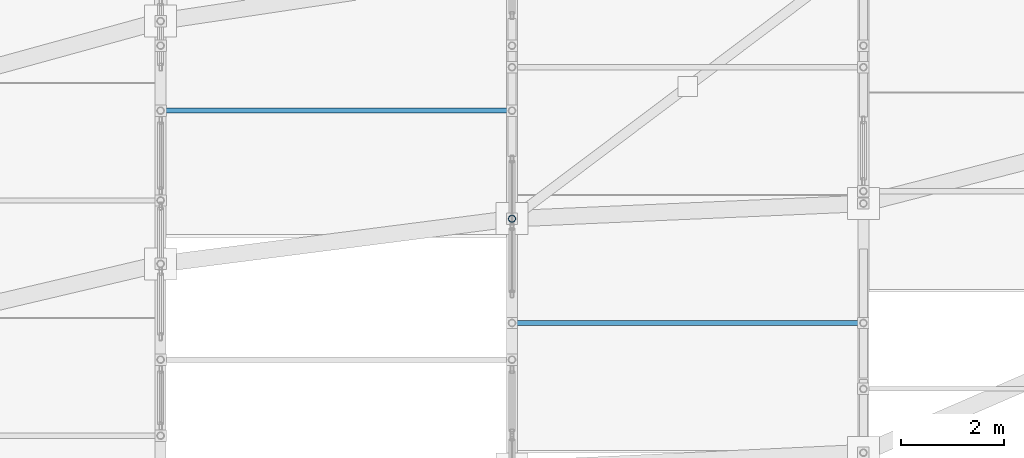
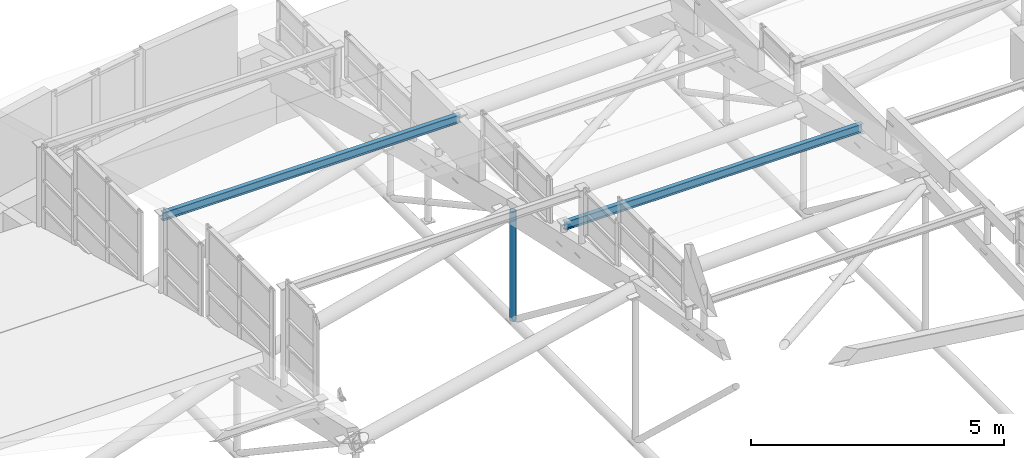
# One storey, part 94 of 188: 3 members.
"""IFC4 building model written with IfcOpenShell, lengths in metres."""

from ifc_helpers import new_model, si_unit, direction, frame, origin, origin_2d, place, context, subcontext, project, spatial, hollow_circle, i_section, extrude, material, material_profile, profile_set, type_object, element, save


model = new_model("IFC4")

# Units and contexts
model_context = context("Model", 3, precision=1e-05, world=origin(), true_north=direction((0.0, 1.0)))
body_context = subcontext(model_context, "Body", "Model", "MODEL_VIEW")
ifc_project = project(units=[si_unit("LENGTHUNIT", "METRE"), si_unit("AREAUNIT", "SQUARE_METRE"), si_unit("VOLUMEUNIT", "CUBIC_METRE"), si_unit("PLANEANGLEUNIT", "RADIAN"), si_unit("MASSUNIT", "GRAM", prefix="KILO")], contexts=[model_context])

# Site, building, storey
site_placement = place(None, origin())
site = spatial("IfcSite", under=ifc_project, at=site_placement, CompositionType="ELEMENT")
building_placement = place(site_placement, origin())
building = spatial("IfcBuilding", under=site, at=building_placement, Name="Kisaragi Civic Commons", CompositionType="ELEMENT")
storey_placement = place(building_placement, frame((0.0, 0.0, 9.60009765625)))
storey = spatial("IfcBuildingStorey", under=building, at=storey_placement, Name="L02", CompositionType="ELEMENT", Elevation=9.60009765625)

# Members
ifc_material_1 = material(Name="Steel SN400 (SN400B)", Category="steel")
ifc_material_profile_1 = material_profile(ifc_material_1, i_section(OverallWidth=0.10009765625, OverallDepth=0.199951171875, WebThickness=0.005615234375, FlangeThickness=0.008056640625, FilletRadius=0.008056640625, at=origin_2d()), Name="H-200x100x5.5x8", Category="steel")
ifc_profile_set_1 = profile_set([ifc_material_profile_1], Name="Steel SN400 (SN400B)")
member_type_1 = type_object("IfcMemberType", Name="PR-02", PredefinedType="PURLIN", material=ifc_profile_set_1)
member_1_placement = place(storey_placement, frame((13.60009765625, 110.342041015625, 3.232421875), z_axis=(1.0, 0.0, 0.0), x_axis=(0.0, 1.0, 0.0)))
element("IfcMember", 1, at=member_1_placement, inside=storey, type_object=member_type_1, Name="V2 wave vault steel purlin 23", PredefinedType="PURLIN", context=body_context, shape_type="SweptSolid", body=[
    extrude(i_section(OverallWidth=0.10009765625, OverallDepth=0.199951171875, WebThickness=0.005615234375, FlangeThickness=0.008056640625, FilletRadius=0.008056640625, at=origin_2d()), origin(), (0.0, 0.0, 1.0), 6.7998046875),
])
member_2_placement = place(storey_placement, frame((20.39990234375, 106.2333984375, 3.116455078125), z_axis=(1.0, 0.0, 0.0), x_axis=(0.0, 1.0, 0.0)))
element("IfcMember", 2, at=member_2_placement, inside=storey, type_object=member_type_1, Name="V2 wave vault steel purlin 30", PredefinedType="PURLIN", context=body_context, shape_type="SweptSolid", body=[
    extrude(i_section(OverallWidth=0.10009765625, OverallDepth=0.199951171875, WebThickness=0.005615234375, FlangeThickness=0.008056640625, FilletRadius=0.008056640625, at=origin_2d()), origin(), (0.0, 0.0, 1.0), 6.800048828125),
])
ifc_material_2 = material(Name="Steel SN490 (SN490B)", Category="steel")
ifc_material_profile_2 = material_profile(ifc_material_2, hollow_circle(Radius=0.06982421875, WallThickness=0.006103515625, at=origin_2d()), Name="CHS-139.8x6.0", Category="steel")
ifc_profile_set_2 = profile_set([ifc_material_profile_2], Name="Steel SN490 (SN490B)")
member_type_2 = type_object("IfcMemberType", Name="ST-H1", PredefinedType="STRUT", material=ifc_profile_set_2)
member_3_placement = place(storey_placement, frame((20.39990234375, 108.25048828125, -0.385009765625), z_axis=(0.0, 0.0, 1.0), x_axis=(1.0, 0.0, 0.0)))
element("IfcMember", 3, at=member_3_placement, inside=storey, type_object=member_type_2, Name="V2 arch tie hanger strut 50", PredefinedType="STRUT", context=body_context, shape_type="SweptSolid", body=[
    extrude(hollow_circle(Radius=0.06982421875, WallThickness=0.006103515625, at=origin_2d()), origin(), (0.0, 0.0, 1.0), 2.640625),
])

save(model, "model.ifc")
